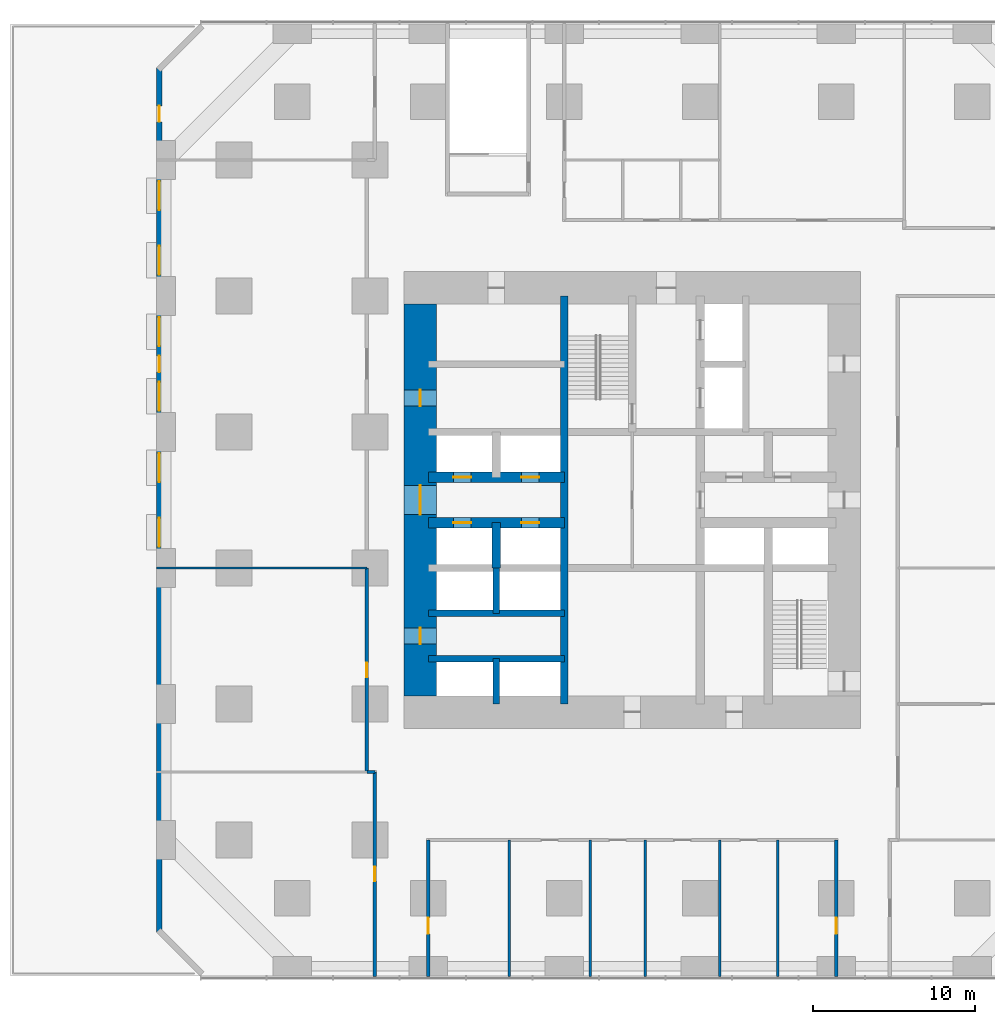
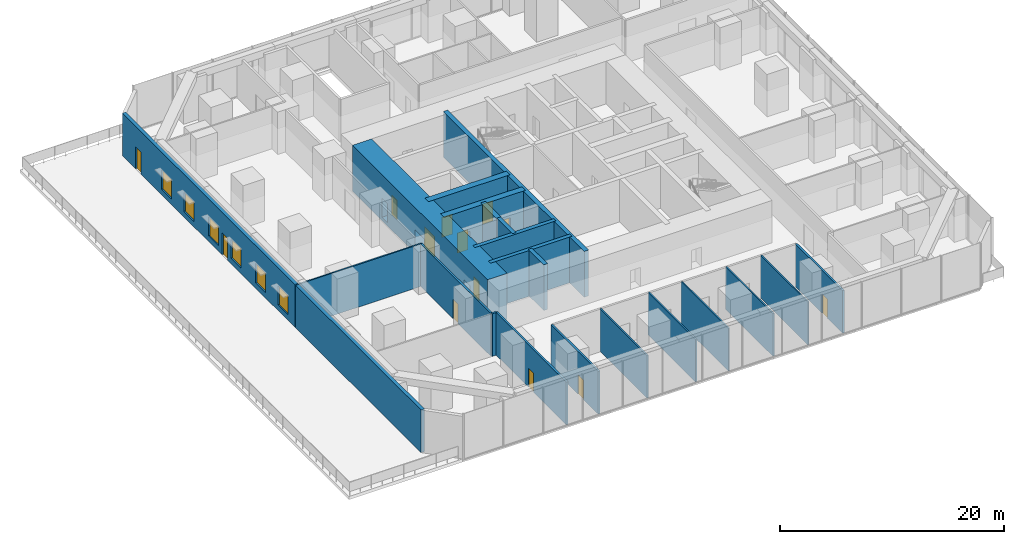
# One storey, part 7 of 12: 21 walls, 13 doors, 6 windows, 19 openings.
"""IFC4 building model written with IfcOpenShell, lengths in metres."""

from ifc_helpers import new_model, si_unit, direction, frame, frame_2d, origin, place, context, subcontext, project, spatial, rectangle, extrude, material, layer, layer_set, type_object, element, fill, save


model = new_model("IFC4")

# Units and contexts
model_context = context("Model", 3, precision=1e-05, world=origin(), true_north=direction((0.0, 1.0)))
body_context = subcontext(model_context, "Body", "Model", "MODEL_VIEW")
ifc_project = project(units=[si_unit("LENGTHUNIT", "METRE"), si_unit("AREAUNIT", "SQUARE_METRE"), si_unit("VOLUMEUNIT", "CUBIC_METRE"), si_unit("PLANEANGLEUNIT", "RADIAN"), si_unit("MASSUNIT", "GRAM", prefix="KILO")], contexts=[model_context])

# Site, building, storey
site_placement = place(None, origin())
site = spatial("IfcSite", under=ifc_project, at=site_placement, CompositionType="ELEMENT")
building_placement = place(site_placement, origin())
building = spatial("IfcBuilding", under=site, at=building_placement, Name="Dunama Terrace Hotel", CompositionType="ELEMENT")
storey_placement = place(building_placement, frame((0.0, 0.0, 22.0)))
storey = spatial("IfcBuildingStorey", under=building, at=storey_placement, Name="L04", CompositionType="ELEMENT", Elevation=22.0)

# Walls
ifc_material_1 = material(Name="Concrete C50/60", Category="concrete")
ifc_layer_1 = layer(ifc_material_1, 0.39990234375)
ifc_layer_set_1 = layer_set([ifc_layer_1], Name="Core inner wall 400")
wall_type_1 = type_object("IfcWallType", Name="Core inner wall 400", PredefinedType="SHEAR", material=ifc_layer_set_1)
for number, where, z_axis, x_axis, name in (
    (1, (21.0, 16.800048828125, -0.35009765625), (0.0, 0.0, 1.0), (0.0, 1.0, 0.0), "Core inner wall 400 L04"),
    (2, (21.0, 22.39990234375, -0.35009765625), (0.0, 0.0, 1.0), (0.0, 1.0, 0.0), "Core inner wall 400 L04"),
):
    element("IfcWall", number, at=place(storey_placement, frame(where, z_axis=z_axis, x_axis=x_axis)), inside=storey, type_object=wall_type_1, Name=name, PredefinedType="SHEAR", context=body_context, shape_type="SweptSolid", body=[
        extrude(rectangle(XDim=2.800048828125, YDim=0.39990234375, at=frame_2d((1.39990234375, 0.0))), origin(), (0.0, 0.0, 1.0), 5.0),
    ])
for number, where, z_axis, x_axis, name in (
    (3, (16.800048828125, 19.60009765625, -0.35009765625), (0.0, 0.0, 1.0), (1.0, 0.0, 0.0), "Core inner wall 400 L04"),
    (4, (16.800048828125, 22.39990234375, -0.35009765625), (0.0, 0.0, 1.0), (1.0, 0.0, 0.0), "Core inner wall 400 L04"),
):
    element("IfcWall", number, at=place(storey_placement, frame(where, z_axis=z_axis, x_axis=x_axis)), inside=storey, type_object=wall_type_1, Name=name, PredefinedType="SHEAR", context=body_context, shape_type="SweptSolid", body=[
        extrude(rectangle(XDim=8.39990234375, YDim=0.39990234375, at=frame_2d((4.199951171875, 0.0))), origin(), (0.0, 0.0, 1.0), 5.0),
    ])
ifc_material_2 = material(Name="Concrete C50/60", Category="concrete")
ifc_layer_2 = layer(ifc_material_2, 0.449951171875)
ifc_layer_set_2 = layer_set([ifc_layer_2], Name="Core inner wall 450")
wall_type_2 = type_object("IfcWallType", Name="Core inner wall 450", PredefinedType="SHEAR", material=ifc_layer_set_2)
wall_1_placement = place(storey_placement, frame((25.199951171875, 16.800048828125, -0.35009765625), z_axis=(0.0, 0.0, 1.0), x_axis=(0.0, 1.0, 0.0)))
element("IfcWall", 5, at=wall_1_placement, inside=storey, type_object=wall_type_2, Name="Core inner wall 450 L04", PredefinedType="SHEAR", context=body_context, shape_type="SweptSolid", body=[
    extrude(rectangle(XDim=25.199951171875, YDim=0.449951171875, at=frame_2d((12.60009765625, 0.0))), origin(), (0.0, 0.0, 1.0), 5.0),
])
ifc_material_3 = material(Name="Concrete C50/60", Category="concrete")
ifc_layer_3 = layer(ifc_material_3, 0.5)
ifc_layer_set_3 = layer_set([ifc_layer_3], Name="Core inner wall 500")
wall_type_3 = type_object("IfcWallType", Name="Core inner wall 500", PredefinedType="SHEAR", material=ifc_layer_set_3)
wall_2_placement = place(storey_placement, frame((21.0, 25.199951171875, -0.35009765625), z_axis=(0.0, 0.0, 1.0), x_axis=(0.0, 1.0, 0.0)))
element("IfcWall", 6, at=wall_2_placement, inside=storey, type_object=wall_type_3, Name="Core inner wall 500 L04", PredefinedType="SHEAR", context=body_context, shape_type="SweptSolid", body=[
    extrude(rectangle(XDim=2.800048828125, YDim=0.5, at=frame_2d((1.39990234375, 0.0))), origin(), (0.0, 0.0, 1.0), 5.0),
])

# Wall, openings, doors
ifc_material_4 = material(Name="Concrete C50/60", Category="concrete")
ifc_layer_4 = layer(ifc_material_4, 0.64990234375)
ifc_layer_set_4 = layer_set([ifc_layer_4], Name="Core inner wall 650")
wall_type_4 = type_object("IfcWallType", Name="Core inner wall 650", PredefinedType="SHEAR", material=ifc_layer_set_4)
wall_3_placement = place(storey_placement, frame((16.800048828125, 28.0, -0.35009765625), z_axis=(0.0, 0.0, 1.0), x_axis=(1.0, 0.0, 0.0)))
wall_3 = element("IfcWall", 7, at=wall_3_placement, inside=storey, type_object=wall_type_4, Name="Core inner wall 650 L04", PredefinedType="SHEAR", context=body_context, shape_type="SweptSolid", body=[
    extrude(rectangle(XDim=8.39990234375, YDim=0.64990234375, at=frame_2d((4.199951171875, 0.0))), origin(), (0.0, 0.0, 1.0), 5.0),
])
opening_1_placement = place(wall_3_placement, frame((1.550048828125, 0.0, 0.35009765625)))
opening_1 = element("IfcOpeningElement", 8, at=opening_1_placement, cuts=wall_3, Name="Opening L04-006", PredefinedType="OPENING", context=body_context, shape_type="SweptSolid", body=[
    extrude(rectangle(XDim=1.10009765625, YDim=2.199951171875, at=frame_2d((0.550048828125, 1.10009765625))), frame((0.0, 0.3349609375, 0.0), z_axis=(0.0, -1.0, 0.0), x_axis=(1.0, 0.0, 0.0)), (0.0, 0.0, 1.0), 0.669921875),
])
opening_2_placement = place(wall_3_placement, frame((5.75, 0.0, 0.35009765625)))
opening_2 = element("IfcOpeningElement", 9, at=opening_2_placement, cuts=wall_3, Name="Opening L04-007", PredefinedType="OPENING", context=body_context, shape_type="SweptSolid", body=[
    extrude(rectangle(XDim=1.10009765625, YDim=2.199951171875, at=frame_2d((0.550048828125, 1.10009765625))), frame((0.0, 0.3349609375, 0.0), z_axis=(0.0, -1.0, 0.0), x_axis=(1.0, 0.0, 0.0)), (0.0, 0.0, 1.0), 0.669921875),
])
ifc_material_5 = material(Name="Stainless steel lift door", Category="steel")
door_type_1 = type_object("IfcDoorType", Name="Lift landing door 1100", OperationType="DOUBLE_DOOR_SLIDING", PredefinedType="DOOR", material=ifc_material_5)
door_1_placement = place(opening_1_placement, origin())
door_1 = element("IfcDoor", 10, at=door_1_placement, inside=storey, type_object=door_type_1, Name="Landing door PA1 L04-006, type LD1", OperationType="DOUBLE_DOOR_SLIDING", OverallHeight=2.199951171875, OverallWidth=1.10009765625, PredefinedType="DOOR", context=body_context, shape_type="SweptSolid", body=[
    extrude(rectangle(XDim=1.10009765625, YDim=2.199951171875, at=frame_2d((0.550048828125, 1.10009765625))), frame((0.0, 0.02490234375, 0.0), z_axis=(0.0, -1.0, 0.0), x_axis=(1.0, 0.0, 0.0)), (0.0, 0.0, 1.0), 0.050048828125),
])
fill(opening_1, door_1)
door_2_placement = place(opening_2_placement, origin())
door_2 = element("IfcDoor", 11, at=door_2_placement, inside=storey, type_object=door_type_1, Name="Landing door PA2 L04-007, type LD1", OperationType="DOUBLE_DOOR_SLIDING", OverallHeight=2.199951171875, OverallWidth=1.10009765625, PredefinedType="DOOR", context=body_context, shape_type="SweptSolid", body=[
    extrude(rectangle(XDim=1.10009765625, YDim=2.199951171875, at=frame_2d((0.550048828125, 1.10009765625))), frame((0.0, 0.02490234375, 0.0), z_axis=(0.0, -1.0, 0.0), x_axis=(1.0, 0.0, 0.0)), (0.0, 0.0, 1.0), 0.050048828125),
])
fill(opening_2, door_2)

wall_4_placement = place(storey_placement, frame((16.800048828125, 30.800048828125, -0.35009765625), z_axis=(0.0, 0.0, 1.0), x_axis=(1.0, 0.0, 0.0)))
wall_4 = element("IfcWall", 12, at=wall_4_placement, inside=storey, type_object=wall_type_4, Name="Core inner wall 650 L04", PredefinedType="SHEAR", context=body_context, shape_type="SweptSolid", body=[
    extrude(rectangle(XDim=8.39990234375, YDim=0.64990234375, at=frame_2d((4.199951171875, 0.0))), origin(), (0.0, 0.0, 1.0), 5.0),
])
opening_3_placement = place(wall_4_placement, frame((1.550048828125, 0.0, 0.35009765625)))
opening_3 = element("IfcOpeningElement", 13, at=opening_3_placement, cuts=wall_4, Name="Opening L04-008", PredefinedType="OPENING", context=body_context, shape_type="SweptSolid", body=[
    extrude(rectangle(XDim=1.10009765625, YDim=2.199951171875, at=frame_2d((0.550048828125, 1.10009765625))), frame((0.0, 0.3349609375, 0.0), z_axis=(0.0, -1.0, 0.0), x_axis=(1.0, 0.0, 0.0)), (0.0, 0.0, 1.0), 0.669921875),
])
opening_4_placement = place(wall_4_placement, frame((5.75, 0.0, 0.35009765625)))
opening_4 = element("IfcOpeningElement", 14, at=opening_4_placement, cuts=wall_4, Name="Opening L04-009", PredefinedType="OPENING", context=body_context, shape_type="SweptSolid", body=[
    extrude(rectangle(XDim=1.10009765625, YDim=2.199951171875, at=frame_2d((0.550048828125, 1.10009765625))), frame((0.0, 0.3349609375, 0.0), z_axis=(0.0, -1.0, 0.0), x_axis=(1.0, 0.0, 0.0)), (0.0, 0.0, 1.0), 0.669921875),
])
door_3_placement = place(opening_3_placement, origin())
door_3 = element("IfcDoor", 15, at=door_3_placement, inside=storey, type_object=door_type_1, Name="Landing door PA3 L04-008, type LD1", OperationType="DOUBLE_DOOR_SLIDING", OverallHeight=2.199951171875, OverallWidth=1.10009765625, PredefinedType="DOOR", context=body_context, shape_type="SweptSolid", body=[
    extrude(rectangle(XDim=1.10009765625, YDim=2.199951171875, at=frame_2d((0.550048828125, 1.10009765625))), frame((0.0, 0.02490234375, 0.0), z_axis=(0.0, -1.0, 0.0), x_axis=(1.0, 0.0, 0.0)), (0.0, 0.0, 1.0), 0.050048828125),
])
fill(opening_3, door_3)
door_4_placement = place(opening_4_placement, origin())
door_4 = element("IfcDoor", 16, at=door_4_placement, inside=storey, type_object=door_type_1, Name="Landing door PA4 L04-009, type LD1", OperationType="DOUBLE_DOOR_SLIDING", OverallHeight=2.199951171875, OverallWidth=1.10009765625, PredefinedType="DOOR", context=body_context, shape_type="SweptSolid", body=[
    extrude(rectangle(XDim=1.10009765625, YDim=2.199951171875, at=frame_2d((0.550048828125, 1.10009765625))), frame((0.0, 0.02490234375, 0.0), z_axis=(0.0, -1.0, 0.0), x_axis=(1.0, 0.0, 0.0)), (0.0, 0.0, 1.0), 0.050048828125),
])
fill(opening_4, door_4)

ifc_material_6 = material(Name="Concrete C60/75", Category="concrete")
ifc_layer_5 = layer(ifc_material_6, 2.0)
ifc_layer_set_5 = layer_set([ifc_layer_5], Name="Core wall 2000")
wall_type_5 = type_object("IfcWallType", Name="Core wall 2000", PredefinedType="SHEAR", material=ifc_layer_set_5)
wall_5_placement = place(storey_placement, frame((16.300048828125, 41.5, -0.35009765625), z_axis=(0.0, 0.0, 1.0), x_axis=(0.0, -1.0, 0.0)))
wall_5 = element("IfcWall", 17, at=wall_5_placement, inside=storey, type_object=wall_type_5, Name="Core wall west L04", PredefinedType="SHEAR", context=body_context, shape_type="SweptSolid", body=[
    extrude(rectangle(XDim=24.199951171875, YDim=2.0, at=frame_2d((12.10009765625, 0.0))), origin(), (0.0, 0.0, 1.0), 5.0),
])
opening_5_placement = place(wall_5_placement, frame((11.199951171875, 0.0, 0.35009765625)))
opening_5 = element("IfcOpeningElement", 18, at=opening_5_placement, cuts=wall_5, Name="Opening L04-012", PredefinedType="OPENING", context=body_context, shape_type="SweptSolid", body=[
    extrude(rectangle(XDim=1.800048828125, YDim=2.199951171875, at=frame_2d((0.89990234375, 1.10009765625))), frame((0.0, 1.010009765625, 0.0), z_axis=(0.0, -1.0, 0.0), x_axis=(1.0, 0.0, 0.0)), (0.0, 0.0, 1.0), 2.02001953125),
])
opening_6_placement = place(wall_5_placement, frame((20.0, 0.0, 0.35009765625)))
opening_6 = element("IfcOpeningElement", 19, at=opening_6_placement, cuts=wall_5, Name="Opening L04-013", PredefinedType="OPENING", context=body_context, shape_type="SweptSolid", body=[
    extrude(rectangle(XDim=1.0, YDim=2.10009765625, at=frame_2d((0.5, 1.050048828125))), frame((0.0, 1.010009765625, 0.0), z_axis=(0.0, -1.0, 0.0), x_axis=(1.0, 0.0, 0.0)), (0.0, 0.0, 1.0), 2.02001953125),
])
opening_7_placement = place(wall_5_placement, frame((5.300048828125, 0.0, 0.35009765625)))
opening_7 = element("IfcOpeningElement", 20, at=opening_7_placement, cuts=wall_5, Name="Opening L04-014", PredefinedType="OPENING", context=body_context, shape_type="SweptSolid", body=[
    extrude(rectangle(XDim=1.0, YDim=2.10009765625, at=frame_2d((0.5, 1.050048828125))), frame((0.0, 1.010009765625, 0.0), z_axis=(0.0, -1.0, 0.0), x_axis=(1.0, 0.0, 0.0)), (0.0, 0.0, 1.0), 2.02001953125),
])
ifc_material_7 = material(Name="Timber door with steel frame", Category="steel")
door_type_2 = type_object("IfcDoorType", Name="Lift lobby double door 1800", OperationType="DOUBLE_DOOR_DOUBLE_SWING", PredefinedType="DOOR", material=ifc_material_7)
door_5_placement = place(opening_5_placement, origin())
door_5 = element("IfcDoor", 21, at=door_5_placement, inside=storey, type_object=door_type_2, Name="Door to lift lobby L04-012, type D3", OperationType="DOUBLE_DOOR_DOUBLE_SWING", OverallHeight=2.199951171875, OverallWidth=1.800048828125, PredefinedType="DOOR", context=body_context, shape_type="SweptSolid", body=[
    extrude(rectangle(XDim=1.800048828125, YDim=2.199951171875, at=frame_2d((0.89990234375, 1.10009765625))), frame((0.0, 0.02490234375, 0.0), z_axis=(0.0, -1.0, 0.0), x_axis=(1.0, 0.0, 0.0)), (0.0, 0.0, 1.0), 0.050048828125),
])
fill(opening_5, door_5)
ifc_material_8 = material(Name="Timber door with steel frame", Category="steel")
door_type_3 = type_object("IfcDoorType", Name="Service door 1000", OperationType="SINGLE_SWING_LEFT", PredefinedType="DOOR", material=ifc_material_8)
door_6_placement = place(opening_6_placement, origin())
door_6 = element("IfcDoor", 22, at=door_6_placement, inside=storey, type_object=door_type_3, Name="Door to service lobby L04-013, type D7", OperationType="SINGLE_SWING_LEFT", OverallHeight=2.10009765625, OverallWidth=1.0, PredefinedType="DOOR", context=body_context, shape_type="SweptSolid", body=[
    extrude(rectangle(XDim=1.0, YDim=2.10009765625, at=frame_2d((0.5, 1.050048828125))), frame((0.0, 0.02490234375, 0.0), z_axis=(0.0, -1.0, 0.0), x_axis=(1.0, 0.0, 0.0)), (0.0, 0.0, 1.0), 0.050048828125),
])
fill(opening_6, door_6)
door_7_placement = place(opening_7_placement, origin())
door_7 = element("IfcDoor", 23, at=door_7_placement, inside=storey, type_object=door_type_3, Name="Door to electrical room L04-014, type D7", OperationType="SINGLE_SWING_RIGHT", OverallHeight=2.10009765625, OverallWidth=1.0, PredefinedType="DOOR", context=body_context, shape_type="SweptSolid", body=[
    extrude(rectangle(XDim=1.0, YDim=2.10009765625, at=frame_2d((0.5, 1.050048828125))), frame((0.0, 0.02490234375, 0.0), z_axis=(0.0, -1.0, 0.0), x_axis=(1.0, 0.0, 0.0)), (0.0, 0.0, 1.0), 0.050048828125),
])
fill(opening_7, door_7)

# Wall, opening, door
ifc_material_9 = material(Name="Concrete blockwork", Category="masonry")
ifc_layer_6 = layer(ifc_material_9, 0.199951171875)
ifc_layer_set_6 = layer_set([ifc_layer_6], Name="Corridor partition 200")
wall_type_6 = type_object("IfcWallType", Name="Corridor partition 200", PredefinedType="PARTITIONING", material=ifc_layer_set_6)
wall_6_placement = place(storey_placement, frame((13.0, 12.60009765625, 0.0), z_axis=(0.0, 0.0, 1.0), x_axis=(0.0, 1.0, 0.0)))
wall_6 = element("IfcWall", 24, at=wall_6_placement, inside=storey, type_object=wall_type_6, Name="Corridor partition 200 L04", PredefinedType="PARTITIONING", context=body_context, shape_type="SweptSolid", body=[
    extrude(rectangle(XDim=12.599853515625, YDim=0.199951171875, at=frame_2d((6.2998046875, 0.0))), origin(), (0.0, 0.0, 1.0), 4.64990234375),
])
opening_8_placement = place(wall_6_placement, frame((5.85009765625, 0.0, 0.0)))
opening_8 = element("IfcOpeningElement", 25, at=opening_8_placement, cuts=wall_6, Name="Opening L04-028", PredefinedType="OPENING", context=body_context, shape_type="SweptSolid", body=[
    extrude(rectangle(XDim=0.89990234375, YDim=2.10009765625, at=frame_2d((0.449951171875, 1.050048828125))), frame((0.0, 0.10986328125, 0.0), z_axis=(0.0, -1.0, 0.0), x_axis=(1.0, 0.0, 0.0)), (0.0, 0.0, 1.0), 0.219970703125),
])
ifc_material_10 = material(Name="Timber door with steel frame", Category="steel")
door_type_4 = type_object("IfcDoorType", Name="WC door 900", OperationType="SINGLE_SWING_LEFT", PredefinedType="DOOR", material=ifc_material_10)
door_8_placement = place(opening_8_placement, origin())
door_8 = element("IfcDoor", 26, at=door_8_placement, inside=storey, type_object=door_type_4, Name="Door to changing room female L04-028, type D6", OperationType="SINGLE_SWING_LEFT", OverallHeight=2.10009765625, OverallWidth=0.89990234375, PredefinedType="DOOR", context=body_context, shape_type="SweptSolid", body=[
    extrude(rectangle(XDim=0.89990234375, YDim=2.10009765625, at=frame_2d((0.449951171875, 1.050048828125))), frame((0.0, 0.02490234375, 0.0), z_axis=(0.0, -1.0, 0.0), x_axis=(1.0, 0.0, 0.0)), (0.0, 0.0, 1.0), 0.050048828125),
])
fill(opening_8, door_8)

wall_7_placement = place(storey_placement, frame((13.5, -0.02294921875, 0.0), z_axis=(0.0, 0.0, 1.0), x_axis=(0.0, 1.0, 0.0)))
wall_7 = element("IfcWall", 27, at=wall_7_placement, inside=storey, type_object=wall_type_6, Name="Corridor partition 200 L04", PredefinedType="PARTITIONING", context=body_context, shape_type="SweptSolid", body=[
    extrude(rectangle(XDim=12.623046875, YDim=0.199951171875, at=frame_2d((6.3115234375, 0.0))), origin(), (0.0, 0.0, 1.0), 4.64990234375),
])
opening_9_placement = place(wall_7_placement, frame((5.873046875, 0.0, 0.0)))
opening_9 = element("IfcOpeningElement", 28, at=opening_9_placement, cuts=wall_7, Name="Opening L04-027", PredefinedType="OPENING", context=body_context, shape_type="SweptSolid", body=[
    extrude(rectangle(XDim=0.89990234375, YDim=2.10009765625, at=frame_2d((0.449951171875, 1.050048828125))), frame((0.0, 0.10986328125, 0.0), z_axis=(0.0, -1.0, 0.0), x_axis=(1.0, 0.0, 0.0)), (0.0, 0.0, 1.0), 0.219970703125),
])
door_9_placement = place(opening_9_placement, origin())
door_9 = element("IfcDoor", 29, at=door_9_placement, inside=storey, type_object=door_type_4, Name="Door to changing room male L04-027, type D6", OperationType="SINGLE_SWING_RIGHT", OverallHeight=2.10009765625, OverallWidth=0.89990234375, PredefinedType="DOOR", context=body_context, shape_type="SweptSolid", body=[
    extrude(rectangle(XDim=0.89990234375, YDim=2.10009765625, at=frame_2d((0.449951171875, 1.050048828125))), frame((0.0, 0.02490234375, 0.0), z_axis=(0.0, -1.0, 0.0), x_axis=(1.0, 0.0, 0.0)), (0.0, 0.0, 1.0), 0.050048828125),
])
fill(opening_9, door_9)

wall_8_placement = place(storey_placement, frame((16.800048828125, -0.02294921875, 0.0), z_axis=(0.0, 0.0, 1.0), x_axis=(0.0, 1.0, 0.0)))
wall_8 = element("IfcWall", 30, at=wall_8_placement, inside=storey, type_object=wall_type_6, Name="Corridor partition 200 L04", PredefinedType="PARTITIONING", context=body_context, shape_type="SweptSolid", body=[
    extrude(rectangle(XDim=8.4228515625, YDim=0.199951171875, at=frame_2d((4.21142578125, 0.0))), origin(), (0.0, 0.0, 1.0), 4.64990234375),
])
opening_10_placement = place(wall_8_placement, frame((2.623046875, 0.0, 0.0)))
opening_10 = element("IfcOpeningElement", 31, at=opening_10_placement, cuts=wall_8, Name="Opening L04-034", PredefinedType="OPENING", context=body_context, shape_type="SweptSolid", body=[
    extrude(rectangle(XDim=1.0, YDim=2.10009765625, at=frame_2d((0.5, 1.050048828125))), frame((0.0, 0.10986328125, 0.0), z_axis=(0.0, -1.0, 0.0), x_axis=(1.0, 0.0, 0.0)), (0.0, 0.0, 1.0), 0.219970703125),
])
door_10_placement = place(opening_10_placement, frame((1.0, 0.0, 0.0), z_axis=(0.0, 0.0, 1.0), x_axis=(-1.0, 0.0, 0.0)))
door_10 = element("IfcDoor", 32, at=door_10_placement, inside=storey, type_object=door_type_3, Name="Door to personal training room 1 L04-034, type D7", OperationType="SINGLE_SWING_LEFT", OverallHeight=2.10009765625, OverallWidth=1.0, PredefinedType="DOOR", context=body_context, shape_type="SweptSolid", body=[
    extrude(rectangle(XDim=1.0, YDim=2.10009765625, at=frame_2d((0.5, 1.050048828125))), frame((0.0, 0.025146484375, 0.0), z_axis=(0.0, -1.0, 0.0), x_axis=(1.0, 0.0, 0.0)), (0.0, 0.0, 1.0), 0.050048828125),
])
fill(opening_10, door_10)

wall_9_placement = place(storey_placement, frame((42.0, -0.02294921875, 0.0), z_axis=(0.0, 0.0, 1.0), x_axis=(0.0, 1.0, 0.0)))
wall_9 = element("IfcWall", 33, at=wall_9_placement, inside=storey, type_object=wall_type_6, Name="Corridor partition 200 L04", PredefinedType="PARTITIONING", context=body_context, shape_type="SweptSolid", body=[
    extrude(rectangle(XDim=8.4228515625, YDim=0.199951171875, at=frame_2d((4.21142578125, 0.0))), origin(), (0.0, 0.0, 1.0), 4.64990234375),
])
opening_11_placement = place(wall_9_placement, frame((2.623046875, 0.0, 0.0)))
opening_11 = element("IfcOpeningElement", 34, at=opening_11_placement, cuts=wall_9, Name="Opening L04-039", PredefinedType="OPENING", context=body_context, shape_type="SweptSolid", body=[
    extrude(rectangle(XDim=1.0, YDim=2.10009765625, at=frame_2d((0.5, 1.050048828125))), frame((0.0, 0.10986328125, 0.0), z_axis=(0.0, -1.0, 0.0), x_axis=(1.0, 0.0, 0.0)), (0.0, 0.0, 1.0), 0.219970703125),
])
door_11_placement = place(opening_11_placement, origin())
door_11 = element("IfcDoor", 35, at=door_11_placement, inside=storey, type_object=door_type_3, Name="Door to sports massage room 2 L04-039, type D7", OperationType="SINGLE_SWING_RIGHT", OverallHeight=2.10009765625, OverallWidth=1.0, PredefinedType="DOOR", context=body_context, shape_type="SweptSolid", body=[
    extrude(rectangle(XDim=1.0, YDim=2.10009765625, at=frame_2d((0.5, 1.050048828125))), frame((0.0, 0.02490234375, 0.0), z_axis=(0.0, -1.0, 0.0), x_axis=(1.0, 0.0, 0.0)), (0.0, 0.0, 1.0), 0.050048828125),
])
fill(opening_11, door_11)

# Wall
wall_10_placement = place(storey_placement, frame((13.0, 12.60009765625, 0.0), z_axis=(0.0, 0.0, 1.0), x_axis=(1.0, 0.0, 0.0)))
element("IfcWall", 36, at=wall_10_placement, inside=storey, type_object=wall_type_6, Name="Corridor partition 200 L04", PredefinedType="PARTITIONING", context=body_context, shape_type="SweptSolid", body=[
    extrude(rectangle(XDim=0.5, YDim=0.199951171875, at=frame_2d((0.25, 0.0))), origin(), (0.0, 0.0, 1.0), 4.64990234375),
])

# Wall, openings, doors, windows
ifc_material_11 = material(Name="Granite-faced concrete blockwork", Category="masonry")
ifc_layer_7 = layer(ifc_material_11, 0.35009765625)
ifc_layer_set_7 = layer_set([ifc_layer_7], Name="Podium external wall 350")
wall_type_7 = type_object("IfcWallType", Name="Podium external wall 350", PredefinedType="SOLIDWALL", material=ifc_layer_set_7)
wall_11_placement = place(storey_placement, frame((0.175048828125, 56.10009765625, 0.0), z_axis=(0.0, 0.0, 1.0), x_axis=(0.0, -1.0, 0.0)))
wall_11 = element("IfcWall", 37, at=wall_11_placement, inside=storey, type_object=wall_type_7, Name="Podium external wall 350 L04", PredefinedType="SOLIDWALL", context=body_context, shape_type="SweptSolid", body=[
    extrude(rectangle(XDim=53.400146484375, YDim=0.35009765625, at=frame_2d((26.7001953125, 0.0))), origin(), (0.0, 0.0, 1.0), 4.64990234375),
])
opening_12_placement = place(wall_11_placement, frame((17.800048828125, 0.0, 0.0)))
opening_12 = element("IfcOpeningElement", 38, at=opening_12_placement, cuts=wall_11, Name="Opening L04-001", PredefinedType="OPENING", context=body_context, shape_type="SweptSolid", body=[
    extrude(rectangle(XDim=1.0, YDim=2.39990234375, at=frame_2d((0.5, 1.199951171875))), frame((0.0, 0.18505859375, 0.0), z_axis=(0.0, -1.0, 0.0), x_axis=(1.0, 0.0, 0.0)), (0.0, 0.0, 1.0), 0.3701171875),
])
opening_13_placement = place(wall_11_placement, frame((27.800048828125, 0.0, 0.60009765625)))
opening_13 = element("IfcOpeningElement", 39, at=opening_13_placement, cuts=wall_11, Name="Opening W2", PredefinedType="OPENING", context=body_context, shape_type="SweptSolid", body=[
    extrude(rectangle(XDim=1.800048828125, YDim=2.10009765625, at=frame_2d((0.89990234375, 1.050048828125))), frame((0.0, 0.18505859375, 0.0), z_axis=(0.0, -1.0, 0.0), x_axis=(1.0, 0.0, 0.0)), (0.0, 0.0, 1.0), 0.3701171875),
])
opening_14_placement = place(wall_11_placement, frame((23.800048828125, 0.0, 0.60009765625)))
opening_14 = element("IfcOpeningElement", 40, at=opening_14_placement, cuts=wall_11, Name="Opening W2", PredefinedType="OPENING", context=body_context, shape_type="SweptSolid", body=[
    extrude(rectangle(XDim=1.800048828125, YDim=2.10009765625, at=frame_2d((0.89990234375, 1.050048828125))), frame((0.0, 0.18505859375, 0.0), z_axis=(0.0, -1.0, 0.0), x_axis=(1.0, 0.0, 0.0)), (0.0, 0.0, 1.0), 0.3701171875),
])
opening_15_placement = place(wall_11_placement, frame((19.39990234375, 0.0, 0.60009765625)))
opening_15 = element("IfcOpeningElement", 41, at=opening_15_placement, cuts=wall_11, Name="Opening W2", PredefinedType="OPENING", context=body_context, shape_type="SweptSolid", body=[
    extrude(rectangle(XDim=1.800048828125, YDim=2.10009765625, at=frame_2d((0.89990234375, 1.050048828125))), frame((0.0, 0.18505859375, 0.0), z_axis=(0.0, -1.0, 0.0), x_axis=(1.0, 0.0, 0.0)), (0.0, 0.0, 1.0), 0.3701171875),
])
opening_16_placement = place(wall_11_placement, frame((15.39990234375, 0.0, 0.60009765625)))
opening_16 = element("IfcOpeningElement", 42, at=opening_16_placement, cuts=wall_11, Name="Opening W2", PredefinedType="OPENING", context=body_context, shape_type="SweptSolid", body=[
    extrude(rectangle(XDim=1.800048828125, YDim=2.10009765625, at=frame_2d((0.89990234375, 1.050048828125))), frame((0.0, 0.18505859375, 0.0), z_axis=(0.0, -1.0, 0.0), x_axis=(1.0, 0.0, 0.0)), (0.0, 0.0, 1.0), 0.3701171875),
])
opening_17_placement = place(wall_11_placement, frame((11.0, 0.0, 0.60009765625)))
opening_17 = element("IfcOpeningElement", 43, at=opening_17_placement, cuts=wall_11, Name="Opening W2", PredefinedType="OPENING", context=body_context, shape_type="SweptSolid", body=[
    extrude(rectangle(XDim=1.800048828125, YDim=2.10009765625, at=frame_2d((0.89990234375, 1.050048828125))), frame((0.0, 0.18505859375, 0.0), z_axis=(0.0, -1.0, 0.0), x_axis=(1.0, 0.0, 0.0)), (0.0, 0.0, 1.0), 0.3701171875),
])
opening_18_placement = place(wall_11_placement, frame((7.0, 0.0, 0.60009765625)))
opening_18 = element("IfcOpeningElement", 44, at=opening_18_placement, cuts=wall_11, Name="Opening W2", PredefinedType="OPENING", context=body_context, shape_type="SweptSolid", body=[
    extrude(rectangle(XDim=1.800048828125, YDim=2.10009765625, at=frame_2d((0.89990234375, 1.050048828125))), frame((0.0, 0.18505859375, 0.0), z_axis=(0.0, -1.0, 0.0), x_axis=(1.0, 0.0, 0.0)), (0.0, 0.0, 1.0), 0.3701171875),
])
opening_19_placement = place(wall_11_placement, frame((2.35009765625, 0.0, 0.0)))
opening_19 = element("IfcOpeningElement", 45, at=opening_19_placement, cuts=wall_11, Name="Opening L04-002", PredefinedType="OPENING", context=body_context, shape_type="SweptSolid", body=[
    extrude(rectangle(XDim=1.0, YDim=2.39990234375, at=frame_2d((0.5, 1.199951171875))), frame((0.0, 0.18505859375, 0.0), z_axis=(0.0, -1.0, 0.0), x_axis=(1.0, 0.0, 0.0)), (0.0, 0.0, 1.0), 0.3701171875),
])
ifc_material_12 = material(Name="Aluminium-framed glazed door", Category="aluminium")
door_type_5 = type_object("IfcDoorType", Name="Terrace door 1000", OperationType="SINGLE_SWING_LEFT", PredefinedType="DOOR", material=ifc_material_12)
door_12_placement = place(opening_12_placement, origin())
door_12 = element("IfcDoor", 46, at=door_12_placement, inside=storey, type_object=door_type_5, Name="Terrace door Fitness centre L04-001, type D12", OperationType="SINGLE_SWING_RIGHT", OverallHeight=2.39990234375, OverallWidth=1.0, PredefinedType="DOOR", context=body_context, shape_type="SweptSolid", body=[
    extrude(rectangle(XDim=1.0, YDim=2.39990234375, at=frame_2d((0.5, 1.199951171875))), frame((0.0, 0.02490234375, 0.0), z_axis=(0.0, -1.0, 0.0), x_axis=(1.0, 0.0, 0.0)), (0.0, 0.0, 1.0), 0.050048828125),
])
fill(opening_12, door_12)
door_13_placement = place(opening_19_placement, origin())
door_13 = element("IfcDoor", 47, at=door_13_placement, inside=storey, type_object=door_type_5, Name="Terrace door Juice bar and lounge L04-002, type D12", OperationType="SINGLE_SWING_RIGHT", OverallHeight=2.39990234375, OverallWidth=1.0, PredefinedType="DOOR", context=body_context, shape_type="SweptSolid", body=[
    extrude(rectangle(XDim=1.0, YDim=2.39990234375, at=frame_2d((0.5, 1.199951171875))), frame((0.0, 0.02490234375, 0.0), z_axis=(0.0, -1.0, 0.0), x_axis=(1.0, 0.0, 0.0)), (0.0, 0.0, 1.0), 0.050048828125),
])
fill(opening_19, door_13)
ifc_material_13 = material(Name="Aluminium-framed double glazed window", Category="aluminium")
window_type = type_object("IfcWindowType", Name="Terrace window 1800", PartitioningType="SINGLE_PANEL", PredefinedType="WINDOW", material=ifc_material_13)
window_1_placement = place(opening_13_placement, origin())
window_1 = element("IfcWindow", 48, at=window_1_placement, inside=storey, type_object=window_type, Name="Terrace window 1800 L04", OverallHeight=2.10009765625, OverallWidth=1.800048828125, PartitioningType="SINGLE_PANEL", PredefinedType="WINDOW", context=body_context, shape_type="SweptSolid", body=[
    extrude(rectangle(XDim=1.800048828125, YDim=2.10009765625, at=frame_2d((0.89990234375, 1.050048828125))), frame((0.0, 0.030029296875, 0.0), z_axis=(0.0, -1.0, 0.0), x_axis=(1.0, 0.0, 0.0)), (0.0, 0.0, 1.0), 0.06005859375),
])
fill(opening_13, window_1)
window_2_placement = place(opening_14_placement, origin())
window_2 = element("IfcWindow", 49, at=window_2_placement, inside=storey, type_object=window_type, Name="Terrace window 1800 L04", OverallHeight=2.10009765625, OverallWidth=1.800048828125, PartitioningType="SINGLE_PANEL", PredefinedType="WINDOW", context=body_context, shape_type="SweptSolid", body=[
    extrude(rectangle(XDim=1.800048828125, YDim=2.10009765625, at=frame_2d((0.89990234375, 1.050048828125))), frame((0.0, 0.030029296875, 0.0), z_axis=(0.0, -1.0, 0.0), x_axis=(1.0, 0.0, 0.0)), (0.0, 0.0, 1.0), 0.06005859375),
])
fill(opening_14, window_2)
window_3_placement = place(opening_15_placement, origin())
window_3 = element("IfcWindow", 50, at=window_3_placement, inside=storey, type_object=window_type, Name="Terrace window 1800 L04", OverallHeight=2.10009765625, OverallWidth=1.800048828125, PartitioningType="SINGLE_PANEL", PredefinedType="WINDOW", context=body_context, shape_type="SweptSolid", body=[
    extrude(rectangle(XDim=1.800048828125, YDim=2.10009765625, at=frame_2d((0.89990234375, 1.050048828125))), frame((0.0, 0.030029296875, 0.0), z_axis=(0.0, -1.0, 0.0), x_axis=(1.0, 0.0, 0.0)), (0.0, 0.0, 1.0), 0.06005859375),
])
fill(opening_15, window_3)
window_4_placement = place(opening_16_placement, origin())
window_4 = element("IfcWindow", 51, at=window_4_placement, inside=storey, type_object=window_type, Name="Terrace window 1800 L04", OverallHeight=2.10009765625, OverallWidth=1.800048828125, PartitioningType="SINGLE_PANEL", PredefinedType="WINDOW", context=body_context, shape_type="SweptSolid", body=[
    extrude(rectangle(XDim=1.800048828125, YDim=2.10009765625, at=frame_2d((0.89990234375, 1.050048828125))), frame((0.0, 0.030029296875, 0.0), z_axis=(0.0, -1.0, 0.0), x_axis=(1.0, 0.0, 0.0)), (0.0, 0.0, 1.0), 0.06005859375),
])
fill(opening_16, window_4)
window_5_placement = place(opening_17_placement, origin())
window_5 = element("IfcWindow", 52, at=window_5_placement, inside=storey, type_object=window_type, Name="Terrace window 1800 L04", OverallHeight=2.10009765625, OverallWidth=1.800048828125, PartitioningType="SINGLE_PANEL", PredefinedType="WINDOW", context=body_context, shape_type="SweptSolid", body=[
    extrude(rectangle(XDim=1.800048828125, YDim=2.10009765625, at=frame_2d((0.89990234375, 1.050048828125))), frame((0.0, 0.030029296875, 0.0), z_axis=(0.0, -1.0, 0.0), x_axis=(1.0, 0.0, 0.0)), (0.0, 0.0, 1.0), 0.06005859375),
])
fill(opening_17, window_5)
window_6_placement = place(opening_18_placement, origin())
window_6 = element("IfcWindow", 53, at=window_6_placement, inside=storey, type_object=window_type, Name="Terrace window 1800 L04", OverallHeight=2.10009765625, OverallWidth=1.800048828125, PartitioningType="SINGLE_PANEL", PredefinedType="WINDOW", context=body_context, shape_type="SweptSolid", body=[
    extrude(rectangle(XDim=1.800048828125, YDim=2.10009765625, at=frame_2d((0.89990234375, 1.050048828125))), frame((0.0, 0.030029296875, 0.0), z_axis=(0.0, -1.0, 0.0), x_axis=(1.0, 0.0, 0.0)), (0.0, 0.0, 1.0), 0.06005859375),
])
fill(opening_18, window_6)

# Walls
ifc_material_14 = material(Name="Gypsum board partition", Category="masonry")
ifc_layer_8 = layer(ifc_material_14, 0.14990234375)
ifc_layer_set_8 = layer_set([ifc_layer_8], Name="Room partition 150")
wall_type_8 = type_object("IfcWallType", Name="Room partition 150", PredefinedType="PARTITIONING", material=ifc_layer_set_8)
for number, where, z_axis, x_axis, name in (
    (54, (21.800048828125, -0.02294921875, 0.0), (0.0, 0.0, 1.0), (0.0, 1.0, 0.0), "Room partition 150 L04"),
    (55, (26.800048828125, -0.02294921875, 0.0), (0.0, 0.0, 1.0), (0.0, 1.0, 0.0), "Room partition 150 L04"),
    (56, (30.199951171875, -0.02294921875, 0.0), (0.0, 0.0, 1.0), (0.0, 1.0, 0.0), "Room partition 150 L04"),
    (57, (34.800048828125, -0.02294921875, 0.0), (0.0, 0.0, 1.0), (0.0, 1.0, 0.0), "Room partition 150 L04"),
    (58, (38.39990234375, -0.02294921875, 0.0), (0.0, 0.0, 1.0), (0.0, 1.0, 0.0), "Room partition 150 L04"),
):
    element("IfcWall", number, at=place(storey_placement, frame(where, z_axis=z_axis, x_axis=x_axis)), inside=storey, type_object=wall_type_8, Name=name, PredefinedType="PARTITIONING", context=body_context, shape_type="SweptSolid", body=[
        extrude(rectangle(XDim=8.4228515625, YDim=0.14990234375, at=frame_2d((4.21142578125, 0.0))), origin(), (0.0, 0.0, 1.0), 4.64990234375),
    ])
wall_12_placement = place(storey_placement, frame((0.0, 25.199951171875, 0.0), z_axis=(0.0, 0.0, 1.0), x_axis=(1.0, 0.0, 0.0)))
element("IfcWall", 59, at=wall_12_placement, inside=storey, type_object=wall_type_8, Name="Room partition 150 L04", PredefinedType="PARTITIONING", context=body_context, shape_type="SweptSolid", body=[
    extrude(rectangle(XDim=13.0, YDim=0.14990234375, at=frame_2d((6.5, 0.0))), origin(), (0.0, 0.0, 1.0), 4.64990234375),
])

save(model, "model.ifc")
